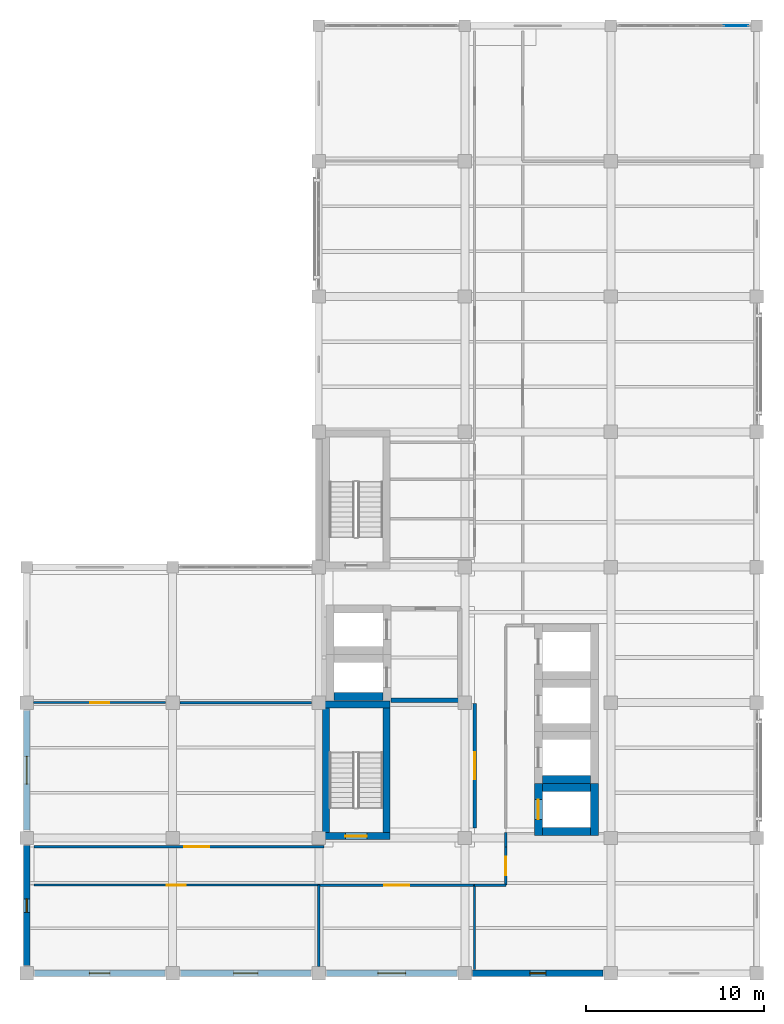
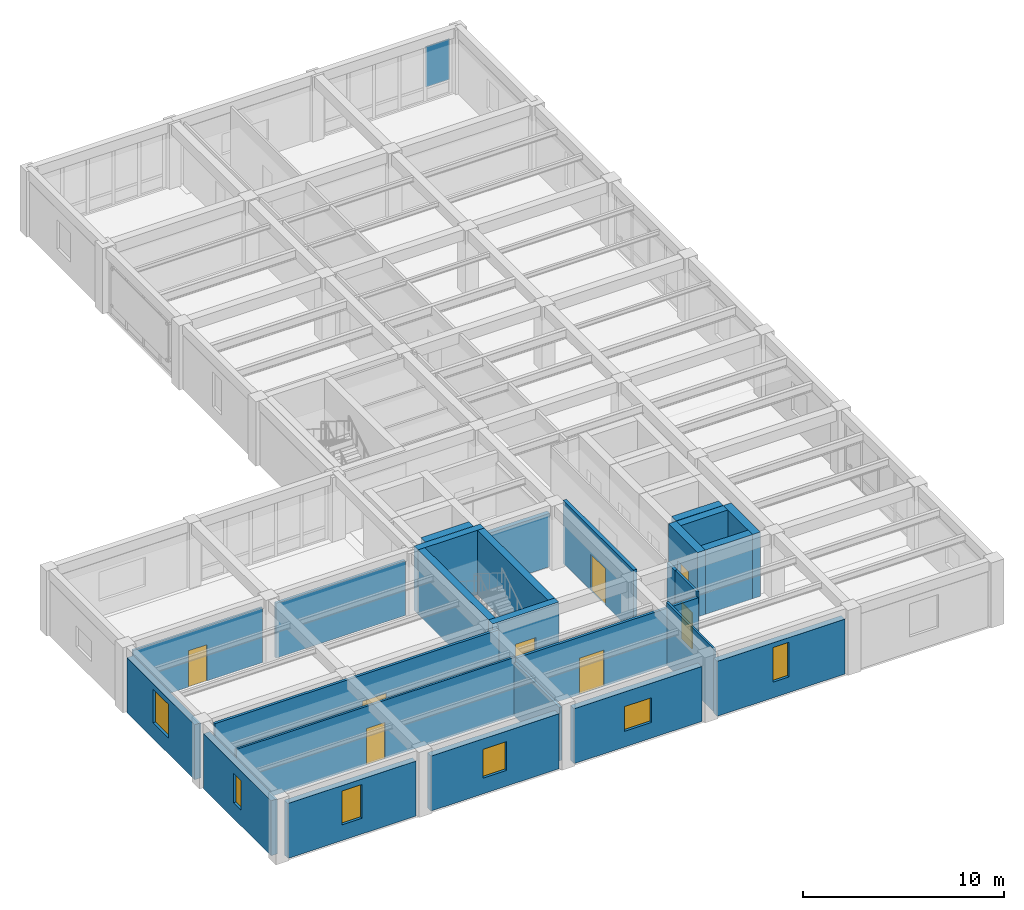
# One storey, part 7 of 14: 28 walls, 8 doors, 6 windows, 1 plate, 14 openings, 1 element without a shape of its own.
"""IFC4 building model written with IfcOpenShell, lengths in metres."""

from ifc_helpers import new_model, si_unit, direction, frame, frame_2d, origin, origin_2d, place, context, subcontext, project, spatial, rectangle, extrude, material, layer, layer_set, type_object, element, fill, aggregate, save


model = new_model("IFC4")

# Units and contexts
model_context = context("Model", 3, precision=1e-05, world=origin(), true_north=direction((0.0, 1.0)))
body_context = subcontext(model_context, "Body", "Model", "MODEL_VIEW")
ifc_project = project(units=[si_unit("LENGTHUNIT", "METRE"), si_unit("AREAUNIT", "SQUARE_METRE"), si_unit("VOLUMEUNIT", "CUBIC_METRE"), si_unit("PLANEANGLEUNIT", "RADIAN"), si_unit("MASSUNIT", "GRAM", prefix="KILO")], contexts=[model_context])

# Site, building, storey
site_placement = place(None, origin())
site = spatial("IfcSite", under=ifc_project, at=site_placement, CompositionType="ELEMENT")
building_placement = place(site_placement, origin())
building = spatial("IfcBuilding", under=site, at=building_placement, Name="Qandaris Square Conservatory and Botanical Centre", CompositionType="ELEMENT")
storey_placement = place(building_placement, frame((0.0, 0.0, 49.199951171875)))
storey = spatial("IfcBuildingStorey", under=building, at=storey_placement, Name="L11", CompositionType="ELEMENT", Elevation=49.199951171875)

# Curtain wall, plate
ifc_material_1 = material(Name="Anodised Aluminium", Category="aluminium")
curtain_wall_type = type_object("IfcCurtainWallType", Name="Unitised Curtain Wall CW-3-735x337", PredefinedType="USERDEFINED", material=ifc_material_1)
curtain_wall_placement = place(storey_placement, origin())
curtain_wall = element("IfcCurtainWall", 1, at=curtain_wall_placement, inside=storey, type_object=curtain_wall_type, Name="Curtain Wall CW-TWR-L11-3-1", ObjectType="GLAZED CURTAIN WALL", PredefinedType="USERDEFINED")
ifc_material_2 = material(Name="Tempered Low-E Glass", Category="glass")
ifc_layer_1 = layer(ifc_material_2, 0.035888671875)
ifc_layer_set_1 = layer_set([ifc_layer_1], Name="Tempered Low-E Glass")
plate_type = type_object("IfcPlateType", Name="Double-Glazed Solar Control Vision Unit 36mm", PredefinedType="CURTAIN_PANEL", material=ifc_layer_set_1)
plate_placement = place(storey_placement, frame((162.623779296875, 69.800048828125, 0.84130859375), z_axis=(0.0, 0.0, 1.0), x_axis=(-1.0, 0.0, 0.0)))
plate = element("IfcPlate", 2, at=plate_placement, type_object=plate_type, Name="CW-3-735x337 panel 1.2", PredefinedType="CURTAIN_PANEL", context=body_context, shape_type="SweptSolid", body=[
    extrude(rectangle(XDim=1.37255859375, YDim=0.035888671875, at=origin_2d()), origin(), (0.0, 0.0, 1.0), 2.463623046875),
])
aggregate(curtain_wall, [plate])

# Wall, opening, door
ifc_material_3 = material(Name="Gypsum Plasterboard", Category="gypsum")
ifc_layer_2 = layer(ifc_material_3, 0.14990234375)
ifc_layer_set_2 = layer_set([ifc_layer_2], Name="Gypsum Plasterboard")
wall_type_1 = type_object("IfcWallType", Name="Acoustic Laboratory Partition 150mm", PredefinedType="PARTITIONING", material=ifc_layer_set_2)
wall_1_placement = place(storey_placement, frame((147.949951171875, 21.550048828125, 0.0), z_axis=(0.0, 0.0, 1.0), x_axis=(-1.0, 0.0, 0.0)))
wall_1 = element("IfcWall", 3, at=wall_1_placement, inside=storey, type_object=wall_type_1, Name="Interior Partition IW-L11-0376", PredefinedType="PARTITIONING", context=body_context, shape_type="SweptSolid", body=[
    extrude(rectangle(XDim=8.75, YDim=0.14990234375, at=frame_2d((4.375, 0.0))), origin(), (0.0, 0.0, 1.0), 3.47509765625),
])
opening_1_placement = place(wall_1_placement, frame((3.675048828125, 0.0, 0.0)))
opening_1 = element("IfcOpeningElement", 4, at=opening_1_placement, cuts=wall_1, Name="Opening D-LAB1", PredefinedType="OPENING", context=body_context, shape_type="SweptSolid", body=[
    extrude(rectangle(XDim=1.39990234375, YDim=2.199951171875, at=frame_2d((0.699951171875, 1.10009765625))), frame((0.0, 0.0869140625, 0.0), z_axis=(0.0, -1.0, 0.0), x_axis=(1.0, 0.0, 0.0)), (0.0, 0.0, 1.0), 0.173828125),
])
ifc_material_4 = material(Name="Engineered Oak Timber", Category="wood")
door_type_1 = type_object("IfcDoorType", Name="Research Laboratory Leaf-and-Half Door 1400x2200", OperationType="DOUBLE_DOOR_SINGLE_SWING", PredefinedType="DOOR", material=ifc_material_4)
door_1_placement = place(opening_1_placement, frame((1.39990234375, 0.0, 0.0), z_axis=(0.0, 0.0, 1.0), x_axis=(-1.0, 0.0, 0.0)))
door_1 = element("IfcDoor", 5, at=door_1_placement, inside=storey, type_object=door_type_1, Name="DR-0339 Carbon Flux Suite Door", OperationType="DOUBLE_DOOR_SINGLE_SWING", OverallHeight=2.199951171875, OverallWidth=1.39990234375, PredefinedType="DOOR", context=body_context, shape_type="SweptSolid", body=[
    extrude(rectangle(XDim=1.39990234375, YDim=2.199951171875, at=frame_2d((0.699951171875, 1.10009765625))), frame((0.0, 0.02490234375, 0.0), z_axis=(0.0, -1.0, 0.0), x_axis=(1.0, 0.0, 0.0)), (0.0, 0.0, 1.0), 0.050048828125),
])
fill(opening_1, door_1)

# Walls
wall_2_placement = place(storey_placement, frame((149.699951171875, 24.5, 0.0), z_axis=(0.0, 0.0, 1.0), x_axis=(0.0, -1.0, 0.0)))
element("IfcWall", 6, at=wall_2_placement, inside=storey, type_object=wall_type_1, Name="Interior Partition IW-L11-0377", PredefinedType="PARTITIONING", context=body_context, shape_type="SweptSolid", body=[
    extrude(rectangle(XDim=0.800048828125, YDim=0.14990234375, at=frame_2d((0.39990234375, 0.0))), origin(), (0.0, 0.0, 1.0), 3.804931640625),
])
wall_3_placement = place(storey_placement, frame((149.699951171875, 21.550048828125, 0.0), z_axis=(0.0, 0.0, 1.0), x_axis=(-1.0, 0.0, 0.0)))
element("IfcWall", 7, at=wall_3_placement, inside=storey, type_object=wall_type_1, Name="Interior Partition IW-L11-0379", PredefinedType="PARTITIONING", context=body_context, shape_type="SweptSolid", body=[
    extrude(rectangle(XDim=1.75, YDim=0.14990234375, at=frame_2d((0.875, 0.0))), origin(), (0.0, 0.0, 1.0), 3.47509765625),
])

# Wall, opening, door
wall_4_placement = place(storey_placement, frame((123.199951171875, 23.699951171875, 0.0), z_axis=(0.0, 0.0, 1.0), x_axis=(1.0, 0.0, 0.0)))
wall_4 = element("IfcWall", 8, at=wall_4_placement, inside=storey, type_object=wall_type_1, Name="Interior Partition IW-L11-0384", PredefinedType="PARTITIONING", context=body_context, shape_type="SweptSolid", body=[
    extrude(rectangle(XDim=16.300048828125, YDim=0.14990234375, at=frame_2d((8.14990234375, 0.0))), origin(), (0.0, 0.0, 1.0), 3.804931640625),
])
opening_2_placement = place(wall_4_placement, frame((8.452880859375, 0.0, 0.0)))
opening_2 = element("IfcOpeningElement", 9, at=opening_2_placement, cuts=wall_4, Name="Opening D-LAB1", PredefinedType="OPENING", context=body_context, shape_type="SweptSolid", body=[
    extrude(rectangle(XDim=1.39990234375, YDim=2.199951171875, at=frame_2d((0.699951171875, 1.10009765625))), frame((0.0, 0.0869140625, 0.0), z_axis=(0.0, -1.0, 0.0), x_axis=(1.0, 0.0, 0.0)), (0.0, 0.0, 1.0), 0.173828125),
])
door_2_placement = place(opening_2_placement, frame((1.39990234375, 0.0, 0.0), z_axis=(0.0, 0.0, 1.0), x_axis=(-1.0, 0.0, 0.0)))
door_2 = element("IfcDoor", 10, at=door_2_placement, inside=storey, type_object=door_type_1, Name="DR-0341 Remote Sensing GIS Research Laboratory South Door", OperationType="DOUBLE_DOOR_SINGLE_SWING", OverallHeight=2.199951171875, OverallWidth=1.39990234375, PredefinedType="DOOR", context=body_context, shape_type="SweptSolid", body=[
    extrude(rectangle(XDim=1.39990234375, YDim=2.199951171875, at=frame_2d((0.699951171875, 1.10009765625))), frame((0.0, 0.02490234375, 0.0), z_axis=(0.0, -1.0, 0.0), x_axis=(1.0, 0.0, 0.0)), (0.0, 0.0, 1.0), 0.050048828125),
])
fill(opening_2, door_2)

# Walls
wall_5_placement = place(storey_placement, frame((139.199951171875, 21.550048828125, 0.0), z_axis=(0.0, 0.0, 1.0), x_axis=(0.0, -1.0, 0.0)))
element("IfcWall", 11, at=wall_5_placement, inside=storey, type_object=wall_type_1, Name="Interior Partition IW-L11-0385", PredefinedType="PARTITIONING", context=body_context, shape_type="SweptSolid", body=[
    extrude(rectangle(XDim=4.554931640625, YDim=0.14990234375, at=frame_2d((2.27734375, 0.0))), origin(), (0.0, 0.0, 1.0), 3.235107421875),
])
wall_6_placement = place(storey_placement, frame((131.39501953125, 31.800048828125, 0.0), z_axis=(0.0, 0.0, 1.0), x_axis=(1.0, 0.0, 0.0)))
element("IfcWall", 12, at=wall_6_placement, inside=storey, type_object=wall_type_1, Name="Interior Partition IW-L11-0391", PredefinedType="PARTITIONING", context=body_context, shape_type="SweptSolid", body=[
    extrude(rectangle(XDim=7.409912109375, YDim=0.14990234375, at=frame_2d((3.705078125, 0.0))), origin(), (0.0, 0.0, 1.0), 3.330078125),
])

# Wall, opening, window
ifc_material_5 = material(Name="Precast concrete C40/50", Category="concrete")
ifc_layer_3 = layer(ifc_material_5, 0.360107421875)
ifc_layer_set_3 = layer_set([ifc_layer_3], Name="Precast concrete C40/50")
wall_type_2 = type_object("IfcWallType", Name="Architectural Precast Cladding Wall 360mm", PredefinedType="SOLIDWALL", material=ifc_layer_set_3)
wall_7_placement = place(storey_placement, frame((123.235107421875, 16.60009765625, 0.0), z_axis=(0.0, 0.0, 1.0), x_axis=(1.0, 0.0, 0.0)))
wall_7 = element("IfcWall", 13, at=wall_7_placement, inside=storey, type_object=wall_type_2, Name="Exterior Wall EW-TWR-L11-1-1", PredefinedType="SOLIDWALL", context=body_context, shape_type="SweptSolid", body=[
    extrude(rectangle(XDim=7.329833984375, YDim=0.360107421875, at=frame_2d((3.6650390625, 0.0))), origin(), (0.0, 0.0, 1.0), 3.330078125),
])
opening_3_placement = place(wall_7_placement, frame((3.090087890625, 0.0, 0.949951171875)))
opening_3 = element("IfcOpeningElement", 14, at=opening_3_placement, cuts=wall_7, Name="Opening WN-20", PredefinedType="OPENING", context=body_context, shape_type="SweptSolid", body=[
    extrude(rectangle(XDim=1.14990234375, YDim=2.050048828125, at=frame_2d((0.574951171875, 1.02490234375))), frame((0.0, 0.19189453125, 0.0), z_axis=(0.0, -1.0, 0.0), x_axis=(1.0, 0.0, 0.0)), (0.0, 0.0, 1.0), 0.384033203125),
])
window_type_1 = type_object("IfcWindowType", Name="Solar Control Window 1150x2050", PartitioningType="SINGLE_PANEL", PredefinedType="WINDOW", material=ifc_material_2)
window_1_placement = place(opening_3_placement, origin())
window_1 = element("IfcWindow", 15, at=window_1_placement, inside=storey, type_object=window_type_1, Name="Window EW-TWR-L11-1-1", OverallHeight=2.050048828125, OverallWidth=1.14990234375, PartitioningType="SINGLE_PANEL", PredefinedType="WINDOW", context=body_context, shape_type="SweptSolid", body=[
    extrude(rectangle(XDim=1.14990234375, YDim=2.050048828125, at=frame_2d((0.574951171875, 1.02490234375))), frame((0.0, 0.030029296875, 0.0), z_axis=(0.0, -1.0, 0.0), x_axis=(1.0, 0.0, 0.0)), (0.0, 0.0, 1.0), 0.06005859375),
])
fill(opening_3, window_1)

wall_8_placement = place(storey_placement, frame((131.43505859375, 16.60009765625, 0.0), z_axis=(0.0, 0.0, 1.0), x_axis=(1.0, 0.0, 0.0)))
wall_8 = element("IfcWall", 16, at=wall_8_placement, inside=storey, type_object=wall_type_2, Name="Exterior Wall EW-TWR-L11-1-2", PredefinedType="SOLIDWALL", context=body_context, shape_type="SweptSolid", body=[
    extrude(rectangle(XDim=7.329833984375, YDim=0.360107421875, at=frame_2d((3.6650390625, 0.0))), origin(), (0.0, 0.0, 1.0), 3.330078125),
])
opening_4_placement = place(wall_8_placement, frame((2.989990234375, 0.0, 0.949951171875)))
opening_4 = element("IfcOpeningElement", 17, at=opening_4_placement, cuts=wall_8, Name="Opening WN-23", PredefinedType="OPENING", context=body_context, shape_type="SweptSolid", body=[
    extrude(rectangle(XDim=1.35009765625, YDim=1.75, at=frame_2d((0.675048828125, 0.875))), frame((0.0, 0.19189453125, 0.0), z_axis=(0.0, -1.0, 0.0), x_axis=(1.0, 0.0, 0.0)), (0.0, 0.0, 1.0), 0.384033203125),
])
window_type_2 = type_object("IfcWindowType", Name="Solar Control Window 1350x1750", PartitioningType="SINGLE_PANEL", PredefinedType="WINDOW", material=ifc_material_2)
window_2_placement = place(opening_4_placement, origin())
window_2 = element("IfcWindow", 18, at=window_2_placement, inside=storey, type_object=window_type_2, Name="Window EW-TWR-L11-1-2", OverallHeight=1.75, OverallWidth=1.35009765625, PartitioningType="SINGLE_PANEL", PredefinedType="WINDOW", context=body_context, shape_type="SweptSolid", body=[
    extrude(rectangle(XDim=1.35009765625, YDim=1.75, at=frame_2d((0.675048828125, 0.875))), frame((0.0, 0.030029296875, 0.0), z_axis=(0.0, -1.0, 0.0), x_axis=(1.0, 0.0, 0.0)), (0.0, 0.0, 1.0), 0.06005859375),
])
fill(opening_4, window_2)

wall_9_placement = place(storey_placement, frame((139.635009765625, 16.60009765625, 0.0), z_axis=(0.0, 0.0, 1.0), x_axis=(1.0, 0.0, 0.0)))
wall_9 = element("IfcWall", 19, at=wall_9_placement, inside=storey, type_object=wall_type_2, Name="Exterior Wall EW-TWR-L11-1-3", PredefinedType="SOLIDWALL", context=body_context, shape_type="SweptSolid", body=[
    extrude(rectangle(XDim=7.330078125, YDim=0.360107421875, at=frame_2d((3.6650390625, 0.0))), origin(), (0.0, 0.0, 1.0), 3.330078125),
])
opening_5_placement = place(wall_9_placement, frame((2.889892578125, 0.0, 0.949951171875)))
opening_5 = element("IfcOpeningElement", 20, at=opening_5_placement, cuts=wall_9, Name="Opening WN-26", PredefinedType="OPENING", context=body_context, shape_type="SweptSolid", body=[
    extrude(rectangle(XDim=1.550048828125, YDim=1.5, at=frame_2d((0.77490234375, 0.75))), frame((0.0, 0.19189453125, 0.0), z_axis=(0.0, -1.0, 0.0), x_axis=(1.0, 0.0, 0.0)), (0.0, 0.0, 1.0), 0.384033203125),
])
window_type_3 = type_object("IfcWindowType", Name="Solar Control Window 1550x1500", PartitioningType="DOUBLE_PANEL_VERTICAL", PredefinedType="WINDOW", material=ifc_material_2)
window_3_placement = place(opening_5_placement, origin())
window_3 = element("IfcWindow", 21, at=window_3_placement, inside=storey, type_object=window_type_3, Name="Window EW-TWR-L11-1-3", OverallHeight=1.5, OverallWidth=1.550048828125, PartitioningType="DOUBLE_PANEL_VERTICAL", PredefinedType="WINDOW", context=body_context, shape_type="SweptSolid", body=[
    extrude(rectangle(XDim=1.550048828125, YDim=1.5, at=frame_2d((0.77490234375, 0.75))), frame((0.0, 0.030029296875, 0.0), z_axis=(0.0, -1.0, 0.0), x_axis=(1.0, 0.0, 0.0)), (0.0, 0.0, 1.0), 0.06005859375),
])
fill(opening_5, window_3)

wall_10_placement = place(storey_placement, frame((147.8349609375, 16.60009765625, 0.0), z_axis=(0.0, 0.0, 1.0), x_axis=(1.0, 0.0, 0.0)))
wall_10 = element("IfcWall", 22, at=wall_10_placement, inside=storey, type_object=wall_type_2, Name="Exterior Wall EW-TWR-L11-1-4", PredefinedType="SOLIDWALL", context=body_context, shape_type="SweptSolid", body=[
    extrude(rectangle(XDim=7.330078125, YDim=0.360107421875, at=frame_2d((3.6650390625, 0.0))), origin(), (0.0, 0.0, 1.0), 3.330078125),
])
opening_6_placement = place(wall_10_placement, frame((3.215087890625, 0.0, 0.949951171875)))
opening_6 = element("IfcOpeningElement", 23, at=opening_6_placement, cuts=wall_10, Name="Opening WN-01", PredefinedType="OPENING", context=body_context, shape_type="SweptSolid", body=[
    extrude(rectangle(XDim=0.89990234375, YDim=2.10009765625, at=frame_2d((0.449951171875, 1.050048828125))), frame((0.0, 0.19189453125, 0.0), z_axis=(0.0, -1.0, 0.0), x_axis=(1.0, 0.0, 0.0)), (0.0, 0.0, 1.0), 0.384033203125),
])
window_type_4 = type_object("IfcWindowType", Name="Deep-Set Solar Slot Window 900x2100", PartitioningType="SINGLE_PANEL", PredefinedType="WINDOW", material=ifc_material_2)
window_4_placement = place(opening_6_placement, origin())
window_4 = element("IfcWindow", 24, at=window_4_placement, inside=storey, type_object=window_type_4, Name="Window EW-TWR-L11-1-4", OverallHeight=2.10009765625, OverallWidth=0.89990234375, PartitioningType="SINGLE_PANEL", PredefinedType="WINDOW", context=body_context, shape_type="SweptSolid", body=[
    extrude(rectangle(XDim=0.89990234375, YDim=2.10009765625, at=frame_2d((0.449951171875, 1.050048828125))), frame((0.0, 0.030029296875, 0.0), z_axis=(0.0, -1.0, 0.0), x_axis=(1.0, 0.0, 0.0)), (0.0, 0.0, 1.0), 0.06005859375),
])
fill(opening_6, window_4)

wall_11_placement = place(storey_placement, frame((122.800048828125, 31.364990234375, 0.0), z_axis=(0.0, 0.0, 1.0), x_axis=(0.0, -1.0, 0.0)))
wall_11 = element("IfcWall", 25, at=wall_11_placement, inside=storey, type_object=wall_type_2, Name="Exterior Wall EW-TWR-L11-6-2", PredefinedType="SOLIDWALL", context=body_context, shape_type="SweptSolid", body=[
    extrude(rectangle(XDim=6.72998046875, YDim=0.360107421875, at=frame_2d((3.364990234375, 0.0))), origin(), (0.0, 0.0, 1.0), 3.330078125),
])
opening_7_placement = place(wall_11_placement, frame((2.590087890625, 0.0, 0.949951171875)))
opening_7 = element("IfcOpeningElement", 26, at=opening_7_placement, cuts=wall_11, Name="Opening WN-28", PredefinedType="OPENING", context=body_context, shape_type="SweptSolid", body=[
    extrude(rectangle(XDim=1.550048828125, YDim=2.050048828125, at=frame_2d((0.77490234375, 1.02490234375))), frame((0.0, 0.19189453125, 0.0), z_axis=(0.0, -1.0, 0.0), x_axis=(1.0, 0.0, 0.0)), (0.0, 0.0, 1.0), 0.384033203125),
])
window_type_5 = type_object("IfcWindowType", Name="Solar Control Window 1550x2050", PartitioningType="DOUBLE_PANEL_VERTICAL", PredefinedType="WINDOW", material=ifc_material_2)
window_5_placement = place(opening_7_placement, origin())
window_5 = element("IfcWindow", 27, at=window_5_placement, inside=storey, type_object=window_type_5, Name="Window EW-TWR-L11-6-2", OverallHeight=2.050048828125, OverallWidth=1.550048828125, PartitioningType="DOUBLE_PANEL_VERTICAL", PredefinedType="WINDOW", context=body_context, shape_type="SweptSolid", body=[
    extrude(rectangle(XDim=1.550048828125, YDim=2.050048828125, at=frame_2d((0.77490234375, 1.02490234375))), frame((0.0, 0.030029296875, 0.0), z_axis=(0.0, -1.0, 0.0), x_axis=(1.0, 0.0, 0.0)), (0.0, 0.0, 1.0), 0.06005859375),
])
fill(opening_7, window_5)

wall_12_placement = place(storey_placement, frame((122.800048828125, 23.764892578125, 0.0), z_axis=(0.0, 0.0, 1.0), x_axis=(0.0, -1.0, 0.0)))
wall_12 = element("IfcWall", 28, at=wall_12_placement, inside=storey, type_object=wall_type_2, Name="Exterior Wall EW-TWR-L11-6-3", PredefinedType="SOLIDWALL", context=body_context, shape_type="SweptSolid", body=[
    extrude(rectangle(XDim=6.72998046875, YDim=0.360107421875, at=frame_2d((3.364990234375, 0.0))), origin(), (0.0, 0.0, 1.0), 3.330078125),
])
opening_8_placement = place(wall_12_placement, frame((2.989990234375, 0.0, 0.949951171875)))
opening_8 = element("IfcOpeningElement", 29, at=opening_8_placement, cuts=wall_12, Name="Opening WN-03", PredefinedType="OPENING", context=body_context, shape_type="SweptSolid", body=[
    extrude(rectangle(XDim=0.75, YDim=1.800048828125, at=frame_2d((0.375, 0.89990234375))), frame((0.0, 0.19189453125, 0.0), z_axis=(0.0, -1.0, 0.0), x_axis=(1.0, 0.0, 0.0)), (0.0, 0.0, 1.0), 0.384033203125),
])
window_type_6 = type_object("IfcWindowType", Name="Herbarium UV-Filtered Slot Window 750x1800", PartitioningType="SINGLE_PANEL", PredefinedType="WINDOW", material=ifc_material_2)
window_6_placement = place(opening_8_placement, origin())
window_6 = element("IfcWindow", 30, at=window_6_placement, inside=storey, type_object=window_type_6, Name="Window EW-TWR-L11-6-3", OverallHeight=1.800048828125, OverallWidth=0.75, PartitioningType="SINGLE_PANEL", PredefinedType="WINDOW", context=body_context, shape_type="SweptSolid", body=[
    extrude(rectangle(XDim=0.75, YDim=1.800048828125, at=frame_2d((0.375, 0.89990234375))), frame((0.0, 0.030029296875, 0.0), z_axis=(0.0, -1.0, 0.0), x_axis=(1.0, 0.0, 0.0)), (0.0, 0.0, 1.0), 0.06005859375),
])
fill(opening_8, window_6)

# Wall
ifc_material_6 = material(Name="Concrete C40/50", Category="concrete")
ifc_layer_4 = layer(ifc_material_6, 0.25)
ifc_layer_set_4 = layer_set([ifc_layer_4], Name="Concrete C40/50")
wall_type_3 = type_object("IfcWallType", Name="Firefighting Lobby Compartment Wall 250mm", PredefinedType="SOLIDWALL", material=ifc_layer_set_4)
wall_13_placement = place(storey_placement, frame((143.25, 31.925048828125, 0.0), z_axis=(0.0, 0.0, 1.0), x_axis=(1.0, 0.0, 0.0)))
element("IfcWall", 31, at=wall_13_placement, inside=storey, type_object=wall_type_3, Name="Firefighting Lobby Wall South (L11)", PredefinedType="SOLIDWALL", context=body_context, shape_type="SweptSolid", body=[
    extrude(rectangle(XDim=3.875, YDim=0.25, at=frame_2d((1.9375, 0.0))), origin(), (0.0, 0.0, 1.0), 3.235107421875),
])

# Wall, opening, door
ifc_layer_5 = layer(ifc_material_6, 0.199951171875)
ifc_layer_set_5 = layer_set([ifc_layer_5], Name="Concrete C40/50")
wall_type_4 = type_object("IfcWallType", Name="Herbarium & Plant Compartment Wall 200mm", PredefinedType="PARTITIONING", material=ifc_layer_set_5)
wall_14_placement = place(storey_placement, frame((147.949951171875, 31.75, 0.0), z_axis=(0.0, 0.0, 1.0), x_axis=(0.0, -1.0, 0.0)))
wall_14 = element("IfcWall", 32, at=wall_14_placement, inside=storey, type_object=wall_type_4, Name="Interior Partition IW-L11-0366", PredefinedType="PARTITIONING", context=body_context, shape_type="SweptSolid", body=[
    extrude(rectangle(XDim=7.0, YDim=0.199951171875, at=frame_2d((3.5, 0.0))), origin(), (0.0, 0.0, 1.0), 3.804931640625),
])
opening_9_placement = place(wall_14_placement, frame((2.75, 0.0, 0.0)))
opening_9 = element("IfcOpeningElement", 33, at=opening_9_placement, cuts=wall_14, Name="Opening D-PLT1", PredefinedType="OPENING", context=body_context, shape_type="SweptSolid", body=[
    extrude(rectangle(XDim=1.5, YDim=2.199951171875, at=frame_2d((0.75, 1.10009765625))), frame((0.0, 0.11181640625, 0.0), z_axis=(0.0, -1.0, 0.0), x_axis=(1.0, 0.0, 0.0)), (0.0, 0.0, 1.0), 0.223876953125),
])
ifc_material_7 = material(Name="Steel S355", Category="steel")
door_type_2 = type_object("IfcDoorType", Name="Plant & Riser Double Fire Door 1500x2200", OperationType="DOUBLE_DOOR_SINGLE_SWING", PredefinedType="DOOR", material=ifc_material_7)
door_3_placement = place(opening_9_placement, origin())
door_3 = element("IfcDoor", 34, at=door_3_placement, inside=storey, type_object=door_type_2, Name="DR-0348 Electrical and Telecom Riser Room L11 Door", OperationType="DOUBLE_DOOR_SINGLE_SWING", OverallHeight=2.199951171875, OverallWidth=1.5, PredefinedType="DOOR", context=body_context, shape_type="SweptSolid", body=[
    extrude(rectangle(XDim=1.5, YDim=2.199951171875, at=frame_2d((0.75, 1.10009765625))), frame((0.0, 0.02490234375, 0.0), z_axis=(0.0, -1.0, 0.0), x_axis=(1.0, 0.0, 0.0)), (0.0, 0.0, 1.0), 0.050048828125),
])
fill(opening_9, door_3)

# Walls
ifc_material_8 = material(Name="Concrete C50/60", Category="concrete")
ifc_layer_6 = layer(ifc_material_8, 0.449951171875)
ifc_layer_set_6 = layer_set([ifc_layer_6], Name="Concrete C50/60")
wall_type_5 = type_object("IfcWallType", Name="RC Coupled Core Shear Wall 450mm", PredefinedType="SHEAR", material=ifc_layer_set_6)
wall_15_placement = place(storey_placement, frame((140.06005859375, 32.135009765625, 0.0), z_axis=(0.0, 0.0, 1.0), x_axis=(1.0, 0.0, 0.0)))
element("IfcWall", 35, at=wall_15_placement, inside=storey, type_object=wall_type_5, Name="Lift FFL1 Shaft Wall South (L11)", PredefinedType="SHEAR", context=body_context, shape_type="SweptSolid", body=[
    extrude(rectangle(XDim=2.739990234375, YDim=0.449951171875, at=frame_2d((1.3701171875, 0.0))), origin(), (0.0, 0.0, 1.0), 3.900146484375),
])
for number, where, z_axis, x_axis, name in (
    (36, (151.75, 24.574951171875, 0.0), (0.0, 0.0, 1.0), (1.0, 0.0, 0.0), "Lift PL1 Shaft Wall South (L11)"),
    (37, (151.75, 27.02490234375, 0.0), (0.0, 0.0, 1.0), (1.0, 0.0, 0.0), "Lift PL1 Shaft Wall North (L11)"),
):
    element("IfcWall", number, at=place(storey_placement, frame(where, z_axis=z_axis, x_axis=x_axis)), inside=storey, type_object=wall_type_5, Name=name, PredefinedType="SHEAR", context=body_context, shape_type="SweptSolid", body=[
        extrude(rectangle(XDim=2.699951171875, YDim=0.449951171875, at=frame_2d((1.35009765625, 0.0))), origin(), (0.0, 0.0, 1.0), 3.900146484375),
    ])

# Wall, opening, door
wall_16_placement = place(storey_placement, frame((151.52490234375, 24.35009765625, 0.0), z_axis=(0.0, 0.0, 1.0), x_axis=(0.0, 1.0, 0.0)))
wall_16 = element("IfcWall", 38, at=wall_16_placement, inside=storey, type_object=wall_type_5, Name="Lift PL1 Shaft Wall West (L11)", PredefinedType="SHEAR", context=body_context, shape_type="SweptSolid", body=[
    extrude(rectangle(XDim=2.89990234375, YDim=0.449951171875, at=frame_2d((1.449951171875, 0.0))), origin(), (0.0, 0.0, 1.0), 3.900146484375),
])
opening_10_placement = place(wall_16_placement, frame((0.89990234375, 0.0, 0.0)))
opening_10 = element("IfcOpeningElement", 39, at=opening_10_placement, cuts=wall_16, Name="Opening LD-PAX", PredefinedType="OPENING", context=body_context, shape_type="SweptSolid", body=[
    extrude(rectangle(XDim=1.10009765625, YDim=2.199951171875, at=frame_2d((0.550048828125, 1.10009765625))), frame((0.0, 0.23681640625, 0.0), z_axis=(0.0, -1.0, 0.0), x_axis=(1.0, 0.0, 0.0)), (0.0, 0.0, 1.0), 0.473876953125),
])
door_type_3 = type_object("IfcDoorType", Name="Passenger Lift Sliding Landing Door 1100x2200", OperationType="DOUBLE_DOOR_SLIDING", PredefinedType="DOOR", material=ifc_material_1)
door_4_placement = place(opening_10_placement, origin())
door_4 = element("IfcDoor", 40, at=door_4_placement, inside=storey, type_object=door_type_3, Name="DR-0357 Lift PL1 Landing Door (L11)", OperationType="DOUBLE_DOOR_SLIDING", OverallHeight=2.199951171875, OverallWidth=1.10009765625, PredefinedType="DOOR", context=body_context, shape_type="SweptSolid", body=[
    extrude(rectangle(XDim=1.10009765625, YDim=2.199951171875, at=frame_2d((0.550048828125, 1.10009765625))), frame((0.0, 0.02490234375, 0.0), z_axis=(0.0, -1.0, 0.0), x_axis=(1.0, 0.0, 0.0)), (0.0, 0.0, 1.0), 0.050048828125),
])
fill(opening_10, door_4)

# Walls
wall_17_placement = place(storey_placement, frame((154.675048828125, 24.35009765625, 0.0), z_axis=(0.0, 0.0, 1.0), x_axis=(0.0, 1.0, 0.0)))
element("IfcWall", 41, at=wall_17_placement, inside=storey, type_object=wall_type_5, Name="Lift PL1 Shaft Wall East (L11)", PredefinedType="SHEAR", context=body_context, shape_type="SweptSolid", body=[
    extrude(rectangle(XDim=2.89990234375, YDim=0.449951171875, at=frame_2d((1.449951171875, 0.0))), origin(), (0.0, 0.0, 1.0), 3.900146484375),
])
wall_18_placement = place(storey_placement, frame((151.75, 27.4951171875, 0.0), z_axis=(0.0, 0.0, 1.0), x_axis=(1.0, 0.0, 0.0)))
element("IfcWall", 42, at=wall_18_placement, inside=storey, type_object=wall_type_5, Name="Lift PL2 Shaft Wall South (L11)", PredefinedType="SHEAR", context=body_context, shape_type="SweptSolid", body=[
    extrude(rectangle(XDim=2.699951171875, YDim=0.449951171875, at=frame_2d((1.35009765625, 0.0))), origin(), (0.0, 0.0, 1.0), 3.900146484375),
])

# Wall, opening, door
ifc_layer_7 = layer(ifc_material_8, 0.39990234375)
ifc_layer_set_7 = layer_set([ifc_layer_7], Name="Concrete C50/60")
wall_type_6 = type_object("IfcWallType", Name="RC Stair Core Shear Wall 400mm", PredefinedType="SHEAR", material=ifc_layer_set_7)
wall_19_placement = place(storey_placement, frame((139.39990234375, 24.300048828125, 0.0), z_axis=(0.0, 0.0, 1.0), x_axis=(1.0, 0.0, 0.0)))
wall_19 = element("IfcWall", 43, at=wall_19_placement, inside=storey, type_object=wall_type_6, Name="ST-1 Core Shear Wall South (L11)", PredefinedType="SHEAR", context=body_context, shape_type="SweptSolid", body=[
    extrude(rectangle(XDim=3.800048828125, YDim=0.39990234375, at=frame_2d((1.89990234375, 0.0))), origin(), (0.0, 0.0, 1.0), 3.900146484375),
])
opening_11_placement = place(wall_19_placement, frame((1.300048828125, 0.0, 0.0)))
opening_11 = element("IfcOpeningElement", 44, at=opening_11_placement, cuts=wall_19, Name="Opening D-ST1", PredefinedType="OPENING", context=body_context, shape_type="SweptSolid", body=[
    extrude(rectangle(XDim=1.199951171875, YDim=2.199951171875, at=frame_2d((0.60009765625, 1.10009765625))), frame((0.0, 0.2119140625, 0.0), z_axis=(0.0, -1.0, 0.0), x_axis=(1.0, 0.0, 0.0)), (0.0, 0.0, 1.0), 0.423828125),
])
door_type_4 = type_object("IfcDoorType", Name="Exit Stair Core Fire Door 1200x2200", OperationType="NOTDEFINED", PredefinedType="DOOR", material=ifc_material_7)
door_5_placement = place(opening_11_placement, origin())
door_5 = element("IfcDoor", 45, at=door_5_placement, inside=storey, type_object=door_type_4, Name="DR-0349 ST-1 Stair Core Door (L11)", OperationType="SINGLE_SWING_LEFT", OverallHeight=2.199951171875, OverallWidth=1.199951171875, PredefinedType="DOOR", context=body_context, shape_type="SweptSolid", body=[
    extrude(rectangle(XDim=1.199951171875, YDim=2.199951171875, at=frame_2d((0.60009765625, 1.10009765625))), frame((0.0, 0.02490234375, 0.0), z_axis=(0.0, -1.0, 0.0), x_axis=(1.0, 0.0, 0.0)), (0.0, 0.0, 1.0), 0.050048828125),
])
fill(opening_11, door_5)

# Walls
wall_20_placement = place(storey_placement, frame((139.39990234375, 31.699951171875, 0.0), z_axis=(0.0, 0.0, 1.0), x_axis=(1.0, 0.0, 0.0)))
element("IfcWall", 46, at=wall_20_placement, inside=storey, type_object=wall_type_6, Name="ST-1 Core Shear Wall North (L11)", PredefinedType="SHEAR", context=body_context, shape_type="SweptSolid", body=[
    extrude(rectangle(XDim=3.800048828125, YDim=0.39990234375, at=frame_2d((1.89990234375, 0.0))), origin(), (0.0, 0.0, 1.0), 3.900146484375),
])
for number, where, z_axis, x_axis, name in (
    (47, (139.60009765625, 24.5, 0.0), (0.0, 0.0, 1.0), (0.0, 1.0, 0.0), "ST-1 Core Shear Wall West (L11)"),
    (48, (143.0, 24.5, 0.0), (0.0, 0.0, 1.0), (0.0, 1.0, 0.0), "ST-1 Core Shear Wall East (L11)"),
):
    element("IfcWall", number, at=place(storey_placement, frame(where, z_axis=z_axis, x_axis=x_axis)), inside=storey, type_object=wall_type_6, Name=name, PredefinedType="SHEAR", context=body_context, shape_type="SweptSolid", body=[
        extrude(rectangle(XDim=7.0, YDim=0.39990234375, at=frame_2d((3.5, 0.0))), origin(), (0.0, 0.0, 1.0), 3.900146484375),
    ])

# Wall, opening, door
ifc_layer_8 = layer(ifc_material_3, 0.1201171875)
ifc_layer_set_8 = layer_set([ifc_layer_8], Name="Gypsum Plasterboard")
wall_type_7 = type_object("IfcWallType", Name="Standard Research Partition 120mm", PredefinedType="PARTITIONING", material=ifc_layer_set_8)
wall_21_placement = place(storey_placement, frame((139.199951171875, 21.550048828125, 0.0), z_axis=(0.0, 0.0, 1.0), x_axis=(-1.0, 0.0, 0.0)))
wall_21 = element("IfcWall", 49, at=wall_21_placement, inside=storey, type_object=wall_type_7, Name="Interior Partition IW-L11-0375", PredefinedType="PARTITIONING", context=body_context, shape_type="SweptSolid", body=[
    extrude(rectangle(XDim=16.0, YDim=0.1201171875, at=frame_2d((8.0, 0.0))), origin(), (0.0, 0.0, 1.0), 3.545166015625),
])
opening_12_placement = place(wall_21_placement, frame((7.47509765625, 0.0, 0.0)))
opening_12 = element("IfcOpeningElement", 50, at=opening_12_placement, cuts=wall_21, Name="Opening D-LAB2", PredefinedType="OPENING", context=body_context, shape_type="SweptSolid", body=[
    extrude(rectangle(XDim=1.050048828125, YDim=2.199951171875, at=frame_2d((0.52490234375, 1.10009765625))), frame((0.0, 0.072021484375, 0.0), z_axis=(0.0, -1.0, 0.0), x_axis=(1.0, 0.0, 0.0)), (0.0, 0.0, 1.0), 0.14404296875),
])
door_type_5 = type_object("IfcDoorType", Name="Analytical Laboratory Single Door 1050x2200", OperationType="NOTDEFINED", PredefinedType="DOOR", material=ifc_material_4)
door_6_placement = place(opening_12_placement, origin())
door_6 = element("IfcDoor", 51, at=door_6_placement, inside=storey, type_object=door_type_5, Name="DR-0342 Desert Lichenology Research Laboratory Door", OperationType="SINGLE_SWING_RIGHT", OverallHeight=2.199951171875, OverallWidth=1.050048828125, PredefinedType="DOOR", context=body_context, shape_type="SweptSolid", body=[
    extrude(rectangle(XDim=1.050048828125, YDim=2.199951171875, at=frame_2d((0.52490234375, 1.10009765625))), frame((0.0, 0.02490234375, 0.0), z_axis=(0.0, -1.0, 0.0), x_axis=(1.0, 0.0, 0.0)), (0.0, 0.0, 1.0), 0.050048828125),
])
fill(opening_12, door_6)

wall_22_placement = place(storey_placement, frame((149.699951171875, 23.699951171875, 0.0), z_axis=(0.0, 0.0, 1.0), x_axis=(0.0, -1.0, 0.0)))
wall_22 = element("IfcWall", 52, at=wall_22_placement, inside=storey, type_object=wall_type_7, Name="Interior Partition IW-L11-0378", PredefinedType="PARTITIONING", context=body_context, shape_type="SweptSolid", body=[
    extrude(rectangle(XDim=2.14990234375, YDim=0.1201171875, at=frame_2d((1.074951171875, 0.0))), origin(), (0.0, 0.0, 1.0), 3.804931640625),
])
opening_13_placement = place(wall_22_placement, frame((0.550048828125, 0.0, 0.0)))
opening_13 = element("IfcOpeningElement", 53, at=opening_13_placement, cuts=wall_22, Name="Opening D-LAB2", PredefinedType="OPENING", context=body_context, shape_type="SweptSolid", body=[
    extrude(rectangle(XDim=1.050048828125, YDim=2.199951171875, at=frame_2d((0.52490234375, 1.10009765625))), frame((0.0, 0.072021484375, 0.0), z_axis=(0.0, -1.0, 0.0), x_axis=(1.0, 0.0, 0.0)), (0.0, 0.0, 1.0), 0.14404296875),
])
door_7_placement = place(opening_13_placement, origin())
door_7 = element("IfcDoor", 54, at=door_7_placement, inside=storey, type_object=door_type_5, Name="DR-0343 Floor L11 Instrument and Balance Room Door", OperationType="SINGLE_SWING_LEFT", OverallHeight=2.199951171875, OverallWidth=1.050048828125, PredefinedType="DOOR", context=body_context, shape_type="SweptSolid", body=[
    extrude(rectangle(XDim=1.050048828125, YDim=2.199951171875, at=frame_2d((0.52490234375, 1.10009765625))), frame((0.0, 0.02490234375, 0.0), z_axis=(0.0, -1.0, 0.0), x_axis=(1.0, 0.0, 0.0)), (0.0, 0.0, 1.0), 0.050048828125),
])
fill(opening_13, door_7)

# Wall
wall_23_placement = place(storey_placement, frame((147.949951171875, 21.550048828125, 0.0), z_axis=(0.0, 0.0, 1.0), x_axis=(0.0, -1.0, 0.0)))
element("IfcWall", 55, at=wall_23_placement, inside=storey, type_object=wall_type_7, Name="Interior Partition IW-L11-0386", PredefinedType="PARTITIONING", context=body_context, shape_type="SweptSolid", body=[
    extrude(rectangle(XDim=4.739990234375, YDim=0.1201171875, at=frame_2d((2.3701171875, 0.0))), origin(), (0.0, 0.0, 1.0), 3.804931640625),
])

# Wall, opening, door
wall_24_placement = place(storey_placement, frame((123.195068359375, 31.800048828125, 0.0), z_axis=(0.0, 0.0, 1.0), x_axis=(1.0, 0.0, 0.0)))
wall_24 = element("IfcWall", 56, at=wall_24_placement, inside=storey, type_object=wall_type_7, Name="Interior Partition IW-L11-0390", PredefinedType="PARTITIONING", context=body_context, shape_type="SweptSolid", body=[
    extrude(rectangle(XDim=7.409912109375, YDim=0.1201171875, at=frame_2d((3.705078125, 0.0))), origin(), (0.0, 0.0, 1.0), 3.330078125),
])
opening_14_placement = place(wall_24_placement, frame((3.179931640625, 0.0, 0.0)))
opening_14 = element("IfcOpeningElement", 57, at=opening_14_placement, cuts=wall_24, Name="Opening D-LAB2", PredefinedType="OPENING", context=body_context, shape_type="SweptSolid", body=[
    extrude(rectangle(XDim=1.050048828125, YDim=2.199951171875, at=frame_2d((0.52490234375, 1.10009765625))), frame((0.0, 0.072021484375, 0.0), z_axis=(0.0, -1.0, 0.0), x_axis=(1.0, 0.0, 0.0)), (0.0, 0.0, 1.0), 0.14404296875),
])
door_8_placement = place(opening_14_placement, origin())
door_8 = element("IfcDoor", 58, at=door_8_placement, inside=storey, type_object=door_type_5, Name="DR-0345 Remote Sensing GIS Research Laboratory South Door", OperationType="SINGLE_SWING_LEFT", OverallHeight=2.199951171875, OverallWidth=1.050048828125, PredefinedType="DOOR", context=body_context, shape_type="SweptSolid", body=[
    extrude(rectangle(XDim=1.050048828125, YDim=2.199951171875, at=frame_2d((0.52490234375, 1.10009765625))), frame((0.0, 0.02490234375, 0.0), z_axis=(0.0, -1.0, 0.0), x_axis=(1.0, 0.0, 0.0)), (0.0, 0.0, 1.0), 0.050048828125),
])
fill(opening_14, door_8)

save(model, "model.ifc")
